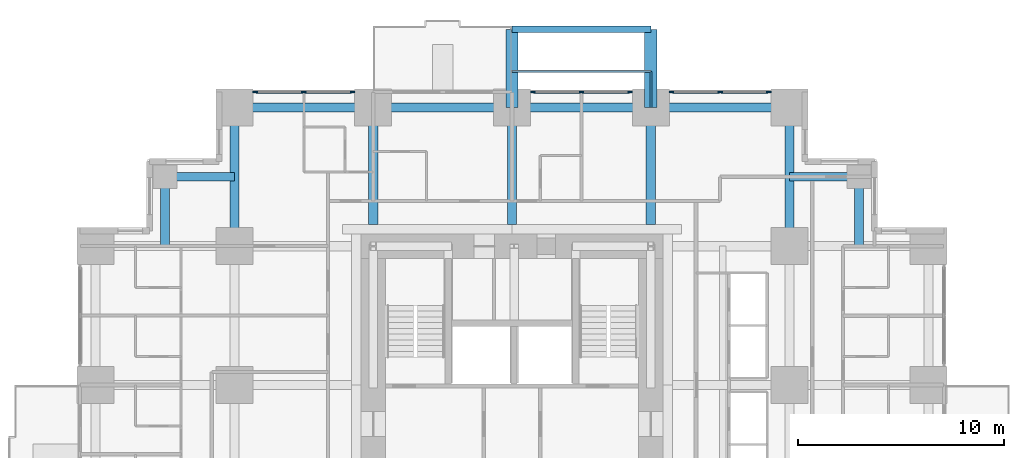
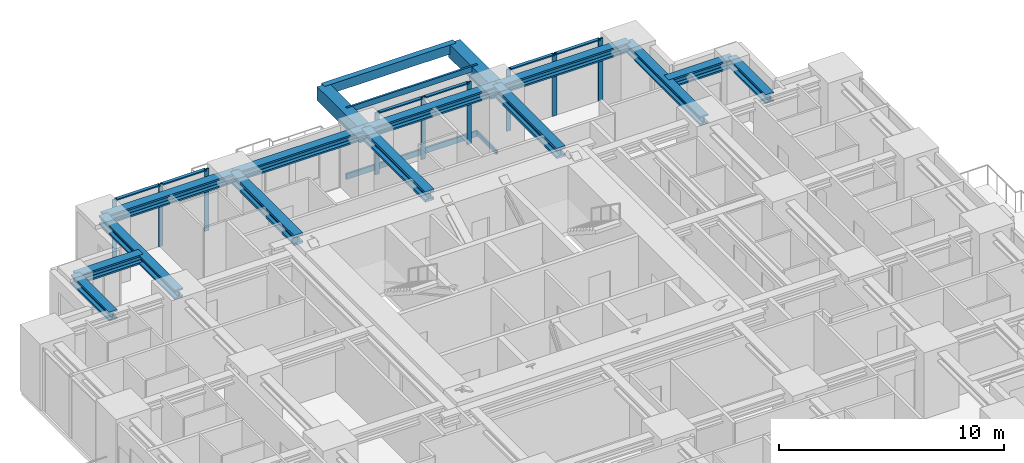
# One storey, part 5 of 13: 18 members, 16 beams, 3 elements without a shape of their own.
"""IFC4 building model written with IfcOpenShell, lengths in metres."""

from ifc_helpers import new_model, si_unit, direction, frame, origin, origin_2d, place, context, subcontext, project, spatial, rectangle, hollow_rectangle, i_section, extrude, material, material_profile, profile_set, type_object, element, aggregate, save


model = new_model("IFC4")

# Units and contexts
model_context = context("Model", 3, precision=1e-05, world=origin(), true_north=direction((0.0, 1.0)))
body_context = subcontext(model_context, "Body", "Model", "MODEL_VIEW")
ifc_project = project(units=[si_unit("LENGTHUNIT", "METRE"), si_unit("AREAUNIT", "SQUARE_METRE"), si_unit("VOLUMEUNIT", "CUBIC_METRE"), si_unit("PLANEANGLEUNIT", "RADIAN"), si_unit("MASSUNIT", "GRAM", prefix="KILO")], contexts=[model_context])

# Site, building, storey
site_placement = place(None, origin())
site = spatial("IfcSite", under=ifc_project, at=site_placement, CompositionType="ELEMENT")
building_placement = place(site_placement, origin())
building = spatial("IfcBuilding", under=site, at=building_placement, Name="Nyansa Garden Tower", CompositionType="ELEMENT")
storey_placement = place(building_placement, frame((0.0, 0.0, 94.5)))
storey = spatial("IfcBuildingStorey", under=building, at=storey_placement, Name="L25", CompositionType="ELEMENT", Elevation=94.5)

# Beams
ifc_material_1 = material(Name="Concrete C70/85", Category="concrete")
ifc_material_profile_1 = material_profile(ifc_material_1, rectangle(XDim=0.60009765625, YDim=0.75, at=origin_2d()), Name="RC 600x750")
ifc_profile_set_1 = profile_set([ifc_material_profile_1], Name="Concrete C70/85")
beam_type_1 = type_object("IfcBeamType", Name="Balcony cantilever beam CB1 RC 600x750", PredefinedType="BEAM", material=ifc_profile_set_1)
for number, where, z_axis, x_axis, name in (
    (1, (20.25, 33.75, 2.985107421875), (0.0, 1.0, 0.0), (-1.0, 0.0, 0.0), "Balcony cantilever beam L26"),
    (2, (27.0, 33.75, 2.985107421875), (0.0, 1.0, 0.0), (-1.0, 0.0, 0.0), "Balcony cantilever beam L26"),
):
    element("IfcBeam", number, at=place(storey_placement, frame(where, z_axis=z_axis, x_axis=x_axis)), inside=storey, type_object=beam_type_1, Name=name, PredefinedType="BEAM", context=body_context, shape_type="SweptSolid", body=[
        extrude(rectangle(XDim=0.60009765625, YDim=0.75, at=origin_2d()), origin(), (0.0, 0.0, 1.0), 3.800048828125),
    ])
ifc_material_2 = material(Name="Concrete C70/85", Category="concrete")
ifc_material_profile_2 = material_profile(ifc_material_2, rectangle(XDim=0.300048828125, YDim=0.5, at=origin_2d()), Name="RC 300x500")
ifc_profile_set_2 = profile_set([ifc_material_profile_2], Name="Concrete C70/85")
beam_type_2 = type_object("IfcBeamType", Name="Balcony edge beam BE1 RC 300x500", PredefinedType="BEAM", material=ifc_profile_set_2)
beam_placement = place(storey_placement, frame((20.25, 37.550048828125, 3.110107421875), z_axis=(1.0, 0.0, 0.0), x_axis=(0.0, 1.0, 0.0)))
element("IfcBeam", 3, at=beam_placement, inside=storey, type_object=beam_type_2, Name="Balcony edge beam L26", PredefinedType="BEAM", context=body_context, shape_type="SweptSolid", body=[
    extrude(rectangle(XDim=0.300048828125, YDim=0.5, at=origin_2d()), origin(), (0.0, 0.0, 1.0), 6.75),
])

# Curtain wall, members
ifc_material_3 = material(Name="Black anodised aluminium, dark tinted double glazing", Category="aluminium")
curtain_wall_type = type_object("IfcCurtainWallType", Name="Inner skin curtain wall ISW-B", PredefinedType="USERDEFINED", material=ifc_material_3)
curtain_wall_1_placement = place(storey_placement, origin())
curtain_wall_1 = element("IfcCurtainWall", 4, at=curtain_wall_1_placement, inside=storey, type_object=curtain_wall_type, Name="Inner skin curtain wall L25 N", ObjectType="UNITISED CURTAIN WALL", PredefinedType="USERDEFINED")
ifc_material_4 = material(Name="Black anodised aluminium", Category="aluminium")
ifc_material_profile_3 = material_profile(ifc_material_4, rectangle(XDim=0.06494140625, YDim=0.22509765625, at=origin_2d()), Name="Mullion 225x65")
ifc_profile_set_3 = profile_set([ifc_material_profile_3], Name="Black anodised aluminium")
member_type_1 = type_object("IfcMemberType", Name="Mullion ISW-B 225x65", PredefinedType="MULLION", material=ifc_profile_set_3)
member_1_placement = place(storey_placement, frame((12.487548828125, 34.5, 0.0), z_axis=(0.0, 0.0, 1.0), x_axis=(0.0, -1.0, 0.0)))
member_1 = element("IfcMember", 5, at=member_1_placement, type_object=member_type_1, Name="ISW-B mullion 1", PredefinedType="MULLION", context=body_context, shape_type="SweptSolid", body=[
    extrude(rectangle(XDim=0.06494140625, YDim=0.22509765625, at=origin_2d()), origin(), (0.0, 0.0, 1.0), 3.375),
])
member_2_placement = place(storey_placement, frame((10.125, 34.5, 0.0), z_axis=(0.0, 0.0, 1.0), x_axis=(0.0, -1.0, 0.0)))
member_2 = element("IfcMember", 6, at=member_2_placement, type_object=member_type_1, Name="ISW-B mullion 2", PredefinedType="MULLION", context=body_context, shape_type="SweptSolid", body=[
    extrude(rectangle(XDim=0.06494140625, YDim=0.22509765625, at=origin_2d()), origin(), (0.0, 0.0, 1.0), 3.375),
])
member_3_placement = place(storey_placement, frame((7.762451171875, 34.5, 0.0), z_axis=(0.0, 0.0, 1.0), x_axis=(0.0, -1.0, 0.0)))
member_3 = element("IfcMember", 7, at=member_3_placement, type_object=member_type_1, Name="ISW-B mullion 3", PredefinedType="MULLION", context=body_context, shape_type="SweptSolid", body=[
    extrude(rectangle(XDim=0.06494140625, YDim=0.22509765625, at=origin_2d()), origin(), (0.0, 0.0, 1.0), 3.375),
])

curtain_wall_2_placement = place(storey_placement, origin())
curtain_wall_2 = element("IfcCurtainWall", 8, at=curtain_wall_2_placement, inside=storey, type_object=curtain_wall_type, Name="Inner skin curtain wall L25 N", ObjectType="UNITISED CURTAIN WALL", PredefinedType="USERDEFINED")
member_4_placement = place(storey_placement, frame((32.737548828125, 34.5, 0.0), z_axis=(0.0, 0.0, 1.0), x_axis=(0.0, -1.0, 0.0)))
member_4 = element("IfcMember", 9, at=member_4_placement, type_object=member_type_1, Name="ISW-B mullion 1", PredefinedType="MULLION", context=body_context, shape_type="SweptSolid", body=[
    extrude(rectangle(XDim=0.06494140625, YDim=0.22509765625, at=origin_2d()), origin(), (0.0, 0.0, 1.0), 3.375),
])
member_5_placement = place(storey_placement, frame((30.375, 34.5, 0.0), z_axis=(0.0, 0.0, 1.0), x_axis=(0.0, -1.0, 0.0)))
member_5 = element("IfcMember", 10, at=member_5_placement, type_object=member_type_1, Name="ISW-B mullion 2", PredefinedType="MULLION", context=body_context, shape_type="SweptSolid", body=[
    extrude(rectangle(XDim=0.06494140625, YDim=0.22509765625, at=origin_2d()), origin(), (0.0, 0.0, 1.0), 3.375),
])
member_6_placement = place(storey_placement, frame((28.012451171875, 34.5, 0.0), z_axis=(0.0, 0.0, 1.0), x_axis=(0.0, -1.0, 0.0)))
member_6 = element("IfcMember", 11, at=member_6_placement, type_object=member_type_1, Name="ISW-B mullion 3", PredefinedType="MULLION", context=body_context, shape_type="SweptSolid", body=[
    extrude(rectangle(XDim=0.06494140625, YDim=0.22509765625, at=origin_2d()), origin(), (0.0, 0.0, 1.0), 3.375),
])

curtain_wall_3_placement = place(storey_placement, origin())
curtain_wall_3 = element("IfcCurtainWall", 12, at=curtain_wall_3_placement, inside=storey, type_object=curtain_wall_type, Name="Inner skin curtain wall L25 N", ObjectType="UNITISED CURTAIN WALL", PredefinedType="USERDEFINED")
member_7_placement = place(storey_placement, frame((25.987548828125, 34.5, 0.0), z_axis=(0.0, 0.0, 1.0), x_axis=(0.0, -1.0, 0.0)))
member_7 = element("IfcMember", 13, at=member_7_placement, type_object=member_type_1, Name="ISW-B mullion 1", PredefinedType="MULLION", context=body_context, shape_type="SweptSolid", body=[
    extrude(rectangle(XDim=0.06494140625, YDim=0.22509765625, at=origin_2d()), origin(), (0.0, 0.0, 1.0), 3.375),
])
member_8_placement = place(storey_placement, frame((23.625, 34.5, 0.0), z_axis=(0.0, 0.0, 1.0), x_axis=(0.0, -1.0, 0.0)))
member_8 = element("IfcMember", 14, at=member_8_placement, type_object=member_type_1, Name="ISW-B mullion 2", PredefinedType="MULLION", context=body_context, shape_type="SweptSolid", body=[
    extrude(rectangle(XDim=0.06494140625, YDim=0.22509765625, at=origin_2d()), origin(), (0.0, 0.0, 1.0), 3.375),
])
member_9_placement = place(storey_placement, frame((21.262451171875, 34.5, 0.0), z_axis=(0.0, 0.0, 1.0), x_axis=(0.0, -1.0, 0.0)))
member_9 = element("IfcMember", 15, at=member_9_placement, type_object=member_type_1, Name="ISW-B mullion 3", PredefinedType="MULLION", context=body_context, shape_type="SweptSolid", body=[
    extrude(rectangle(XDim=0.06494140625, YDim=0.22509765625, at=origin_2d()), origin(), (0.0, 0.0, 1.0), 3.375),
])

# Members
ifc_material_5 = material(Name="Steel S355, black powder coated", Category="steel")
ifc_material_profile_4 = material_profile(ifc_material_5, hollow_rectangle(XDim=0.10009765625, YDim=0.199951171875, WallThickness=0.008056640625, at=origin_2d()), Name="RHS 200x100x8")
ifc_profile_set_4 = profile_set([ifc_material_profile_4], Name="Steel S355, black powder coated")
member_type_2 = type_object("IfcMemberType", Name="Outer skin bracket arm RHS 200x100x8", PredefinedType="USERDEFINED", material=ifc_profile_set_4)
member_10_placement = place(storey_placement, frame((27.0, 33.75, -0.375), z_axis=(0.0, 1.0, 0.0), x_axis=(-1.0, 0.0, 0.0)))
element("IfcMember", 16, at=member_10_placement, inside=storey, type_object=member_type_2, Name="Outer skin bracket arm", ObjectType="OUTER SKIN BRACKET", PredefinedType="USERDEFINED", context=body_context, shape_type="SweptSolid", body=[
    extrude(hollow_rectangle(XDim=0.10009765625, YDim=0.199951171875, WallThickness=0.008056640625, at=origin_2d()), origin(), (0.0, 0.0, 1.0), 1.75),
])
ifc_material_6 = material(Name="Steel S355, black powder coated", Category="steel")
ifc_material_profile_5 = material_profile(ifc_material_6, hollow_rectangle(XDim=0.10009765625, YDim=0.300048828125, WallThickness=0.010009765625, at=origin_2d()), Name="RHS 300x100x10")
ifc_profile_set_5 = profile_set([ifc_material_profile_5], Name="Steel S355, black powder coated")
member_type_3 = type_object("IfcMemberType", Name="Outer skin rail RHS 300x100x10", PredefinedType="USERDEFINED", material=ifc_profile_set_5)
for number, where, z_axis, x_axis, name in (
    (17, (20.25, 35.5, -0.375), (1.0, 0.0, 0.0), (0.0, 1.0, 0.0), "Outer skin rail L25"),
    (18, (20.25, 35.5, 3.22509765625), (1.0, 0.0, 0.0), (0.0, 1.0, 0.0), "Outer skin rail L25 head"),
):
    element("IfcMember", number, at=place(storey_placement, frame(where, z_axis=z_axis, x_axis=x_axis)), inside=storey, type_object=member_type_3, Name=name, ObjectType="OUTER SKIN RAIL", PredefinedType="USERDEFINED", context=body_context, shape_type="SweptSolid", body=[
        extrude(hollow_rectangle(XDim=0.10009765625, YDim=0.300048828125, WallThickness=0.010009765625, at=origin_2d()), origin(), (0.0, 0.0, 1.0), 6.75),
    ])

# Beams
ifc_material_7 = material(Name="Steel S355", Category="steel")
ifc_material_profile_6 = material_profile(ifc_material_7, i_section(OverallWidth=0.431884765625, OverallDepth=0.498046875, WebThickness=0.0556640625, FlangeThickness=0.0888671875, FilletRadius=0.014892578125, at=origin_2d()), Name="HD 400x744")
ifc_profile_set_6 = profile_set([ifc_material_profile_6], Name="Steel S355")
beam_type_3 = type_object("IfcBeamType", Name="Steel beam SBB1-744 HD 400x744", PredefinedType="BEAM", material=ifc_profile_set_6)
for number, where, z_axis, x_axis, name in (
    (19, (6.75, 27.0, 3.1259765625), (0.0, 1.0, 0.0), (-1.0, 0.0, 0.0), "Steel beam 3/H-3/J L26"),
    (20, (33.75, 27.0, 3.1259765625), (0.0, 1.0, 0.0), (-1.0, 0.0, 0.0), "Steel beam 7/H-7/J L26"),
):
    element("IfcBeam", number, at=place(storey_placement, frame(where, z_axis=z_axis, x_axis=x_axis)), inside=storey, type_object=beam_type_3, Name=name, PredefinedType="BEAM", context=body_context, shape_type="SweptSolid", body=[
        extrude(i_section(OverallWidth=0.431884765625, OverallDepth=0.498046875, WebThickness=0.0556640625, FlangeThickness=0.0888671875, FilletRadius=0.014892578125, at=origin_2d()), origin(), (0.0, 0.0, 1.0), 6.75),
    ])
ifc_material_8 = material(Name="Steel S355", Category="steel")
ifc_material_profile_7 = material_profile(ifc_material_8, i_section(OverallWidth=0.4541015625, OverallDepth=0.569091796875, WebThickness=0.077880859375, FlangeThickness=0.125, FilletRadius=0.014892578125, at=origin_2d()), Name="HD 400x1086")
ifc_profile_set_7 = profile_set([ifc_material_profile_7], Name="Steel S355")
beam_type_4 = type_object("IfcBeamType", Name="Steel beam SCL-1086 HD 400x1086", PredefinedType="BEAM", material=ifc_profile_set_7)
for number, where, z_axis, x_axis, name in (
    (21, (13.5, 28.050048828125, 3.090576171875), (0.0, 1.0, 0.0), (-1.0, 0.0, 0.0), "Steel beam 4/28.050-4/J L26"),
    (22, (20.25, 28.050048828125, 3.090576171875), (0.0, 1.0, 0.0), (-1.0, 0.0, 0.0), "Steel beam 5/28.050-5/J L26"),
    (23, (27.0, 28.050048828125, 3.090576171875), (0.0, 1.0, 0.0), (-1.0, 0.0, 0.0), "Steel beam 6/28.050-6/J L26"),
):
    element("IfcBeam", number, at=place(storey_placement, frame(where, z_axis=z_axis, x_axis=x_axis)), inside=storey, type_object=beam_type_4, Name=name, PredefinedType="BEAM", context=body_context, shape_type="SweptSolid", body=[
        extrude(i_section(OverallWidth=0.4541015625, OverallDepth=0.569091796875, WebThickness=0.077880859375, FlangeThickness=0.125, FilletRadius=0.014892578125, at=origin_2d()), origin(), (0.0, 0.0, 1.0), 5.699951171875),
    ])
ifc_material_9 = material(Name="Steel S355", Category="steel")
ifc_material_profile_8 = material_profile(ifc_material_9, i_section(OverallWidth=0.431884765625, OverallDepth=0.498046875, WebThickness=0.0556640625, FlangeThickness=0.0888671875, FilletRadius=0.014892578125, at=origin_2d()), Name="HD 400x744")
ifc_profile_set_8 = profile_set([ifc_material_profile_8], Name="Steel S355")
beam_type_5 = type_object("IfcBeamType", Name="Steel beam SEBB-744 HD 400x744", PredefinedType="BEAM", material=ifc_profile_set_8)
for number, where, z_axis, x_axis, name in (
    (24, (6.75, 33.75, 3.1259765625), (1.0, 0.0, 0.0), (0.0, 1.0, 0.0), "Steel edge beam 3/J-4/J L26"),
    (25, (13.5, 33.75, 3.1259765625), (1.0, 0.0, 0.0), (0.0, 1.0, 0.0), "Steel edge beam 4/J-5/J L26"),
    (26, (20.25, 33.75, 3.1259765625), (1.0, 0.0, 0.0), (0.0, 1.0, 0.0), "Steel edge beam 5/J-6/J L26"),
    (27, (27.0, 33.75, 3.1259765625), (1.0, 0.0, 0.0), (0.0, 1.0, 0.0), "Steel edge beam 6/J-7/J L26"),
):
    element("IfcBeam", number, at=place(storey_placement, frame(where, z_axis=z_axis, x_axis=x_axis)), inside=storey, type_object=beam_type_5, Name=name, PredefinedType="BEAM", context=body_context, shape_type="SweptSolid", body=[
        extrude(i_section(OverallWidth=0.431884765625, OverallDepth=0.498046875, WebThickness=0.0556640625, FlangeThickness=0.0888671875, FilletRadius=0.014892578125, at=origin_2d()), origin(), (0.0, 0.0, 1.0), 6.75),
    ])
ifc_material_10 = material(Name="Steel S355", Category="steel")
ifc_material_profile_9 = material_profile(ifc_material_10, i_section(OverallWidth=0.431884765625, OverallDepth=0.498046875, WebThickness=0.0556640625, FlangeThickness=0.0888671875, FilletRadius=0.014892578125, at=origin_2d()), Name="HD 400x744")
ifc_profile_set_9 = profile_set([ifc_material_profile_9], Name="Steel S355")
beam_type_6 = type_object("IfcBeamType", Name="Steel beam SSB1-744 HD 400x744", PredefinedType="BEAM", material=ifc_profile_set_9)
for number, where, z_axis, x_axis, name in (
    (28, (37.125, 30.375, 3.1259765625), (0.0, -1.0, 0.0), (1.0, 0.0, 0.0), "Steel step beam 37.125/30.375 L26"),
    (29, (37.125, 30.375, 3.1259765625), (-1.0, 0.0, 0.0), (0.0, -1.0, 0.0), "Steel step beam 37.125/30.375 L26"),
    (30, (3.375, 30.375, 3.1259765625), (0.0, -1.0, 0.0), (1.0, 0.0, 0.0), "Steel step beam 3.375/30.375 L26"),
    (31, (3.375, 30.375, 3.1259765625), (1.0, 0.0, 0.0), (0.0, 1.0, 0.0), "Steel step beam 3.375/30.375 L26"),
):
    element("IfcBeam", number, at=place(storey_placement, frame(where, z_axis=z_axis, x_axis=x_axis)), inside=storey, type_object=beam_type_6, Name=name, PredefinedType="BEAM", context=body_context, shape_type="SweptSolid", body=[
        extrude(i_section(OverallWidth=0.431884765625, OverallDepth=0.498046875, WebThickness=0.0556640625, FlangeThickness=0.0888671875, FilletRadius=0.014892578125, at=origin_2d()), origin(), (0.0, 0.0, 1.0), 3.375),
    ])

# Member
ifc_material_11 = material(Name="Black anodised aluminium", Category="aluminium")
ifc_material_profile_10 = material_profile(ifc_material_11, rectangle(XDim=0.1650390625, YDim=0.06494140625, at=origin_2d()), Name="Transom 165x65")
ifc_profile_set_10 = profile_set([ifc_material_profile_10], Name="Black anodised aluminium")
member_type_4 = type_object("IfcMemberType", Name="Transom ISW-B 165x65", PredefinedType="USERDEFINED", material=ifc_profile_set_10)
member_11_placement = place(storey_placement, frame((12.455078125, 34.5, 3.342529296875), z_axis=(-1.0, 0.0, 0.0), x_axis=(0.0, -1.0, 0.0)))
member_11 = element("IfcMember", 32, at=member_11_placement, type_object=member_type_4, Name="ISW-B transom 1", ObjectType="TRANSOM", PredefinedType="USERDEFINED", context=body_context, shape_type="SweptSolid", body=[
    extrude(rectangle(XDim=0.1650390625, YDim=0.06494140625, at=origin_2d()), origin(), (0.0, 0.0, 1.0), 2.297607421875),
])

member_12_placement = place(storey_placement, frame((10.092529296875, 34.5, 3.342529296875), z_axis=(-1.0, 0.0, 0.0), x_axis=(0.0, -1.0, 0.0)))
member_12 = element("IfcMember", 33, at=member_12_placement, type_object=member_type_4, Name="ISW-B transom 2", ObjectType="TRANSOM", PredefinedType="USERDEFINED", context=body_context, shape_type="SweptSolid", body=[
    extrude(rectangle(XDim=0.1650390625, YDim=0.06494140625, at=origin_2d()), origin(), (0.0, 0.0, 1.0), 2.297607421875),
])

aggregate(curtain_wall_1, [member_1, member_2, member_3, member_11, member_12])

member_13_placement = place(storey_placement, frame((32.705078125, 34.5, 3.342529296875), z_axis=(-1.0, 0.0, 0.0), x_axis=(0.0, -1.0, 0.0)))
member_13 = element("IfcMember", 34, at=member_13_placement, type_object=member_type_4, Name="ISW-B transom 1", ObjectType="TRANSOM", PredefinedType="USERDEFINED", context=body_context, shape_type="SweptSolid", body=[
    extrude(rectangle(XDim=0.1650390625, YDim=0.06494140625, at=origin_2d()), origin(), (0.0, 0.0, 1.0), 2.297607421875),
])

member_14_placement = place(storey_placement, frame((30.342529296875, 34.5, 3.342529296875), z_axis=(-1.0, 0.0, 0.0), x_axis=(0.0, -1.0, 0.0)))
member_14 = element("IfcMember", 35, at=member_14_placement, type_object=member_type_4, Name="ISW-B transom 2", ObjectType="TRANSOM", PredefinedType="USERDEFINED", context=body_context, shape_type="SweptSolid", body=[
    extrude(rectangle(XDim=0.1650390625, YDim=0.06494140625, at=origin_2d()), origin(), (0.0, 0.0, 1.0), 2.297607421875),
])

aggregate(curtain_wall_2, [member_4, member_5, member_6, member_13, member_14])

member_15_placement = place(storey_placement, frame((25.955078125, 34.5, 3.342529296875), z_axis=(-1.0, 0.0, 0.0), x_axis=(0.0, -1.0, 0.0)))
member_15 = element("IfcMember", 36, at=member_15_placement, type_object=member_type_4, Name="ISW-B transom 1", ObjectType="TRANSOM", PredefinedType="USERDEFINED", context=body_context, shape_type="SweptSolid", body=[
    extrude(rectangle(XDim=0.1650390625, YDim=0.06494140625, at=origin_2d()), origin(), (0.0, 0.0, 1.0), 2.297607421875),
])

member_16_placement = place(storey_placement, frame((23.592529296875, 34.5, 3.342529296875), z_axis=(-1.0, 0.0, 0.0), x_axis=(0.0, -1.0, 0.0)))
member_16 = element("IfcMember", 37, at=member_16_placement, type_object=member_type_4, Name="ISW-B transom 2", ObjectType="TRANSOM", PredefinedType="USERDEFINED", context=body_context, shape_type="SweptSolid", body=[
    extrude(rectangle(XDim=0.1650390625, YDim=0.06494140625, at=origin_2d()), origin(), (0.0, 0.0, 1.0), 2.297607421875),
])

aggregate(curtain_wall_3, [member_7, member_8, member_9, member_15, member_16])

save(model, "model.ifc")
